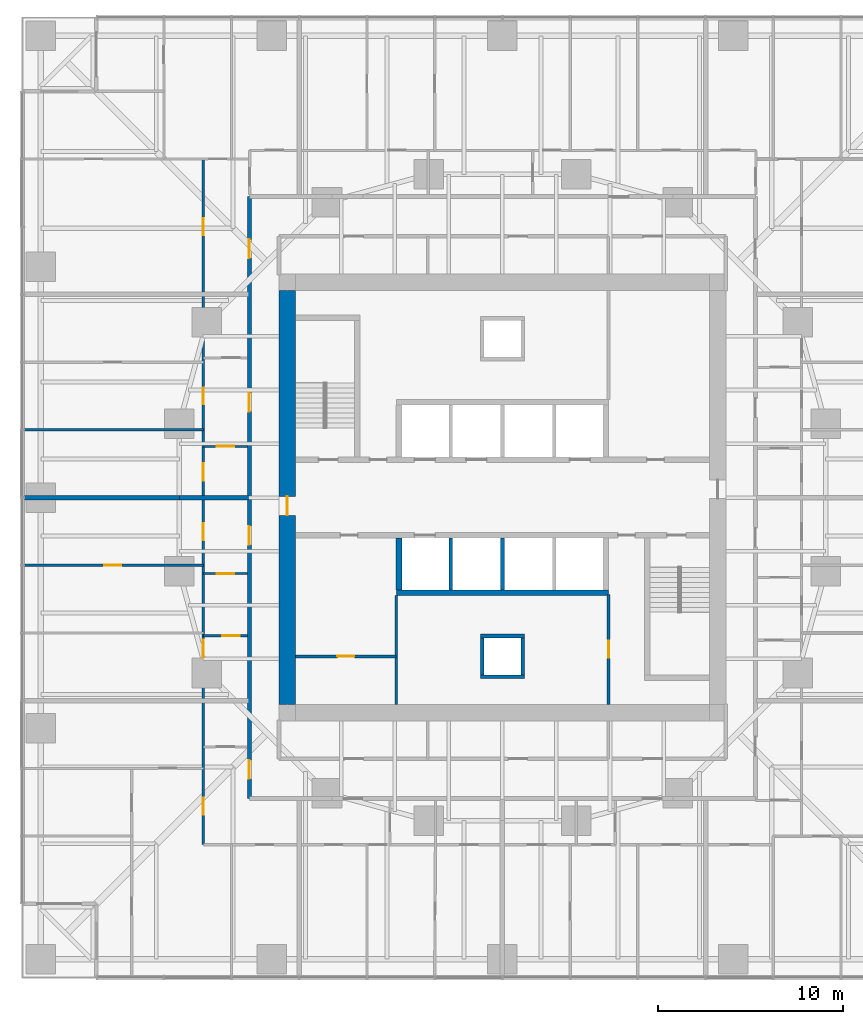
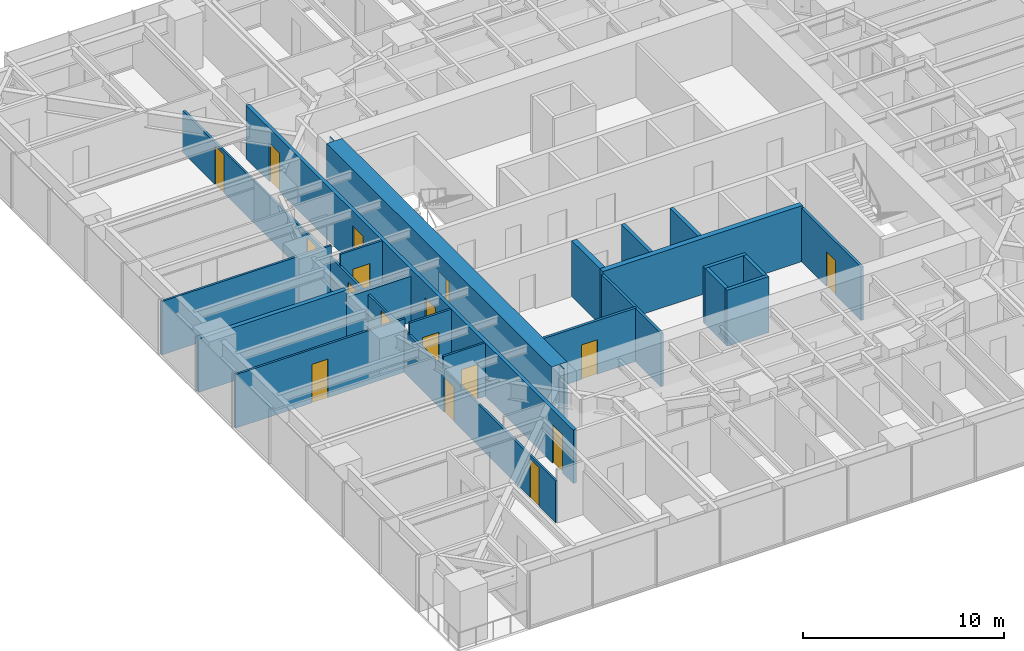
# One storey, part 9 of 14: 21 walls, 17 doors, 17 openings.
"""IFC4 building model written with IfcOpenShell, lengths in metres."""

from ifc_helpers import new_model, si_unit, direction, frame, frame_2d, origin, place, context, subcontext, project, spatial, polyline, rectangle, outline, extrude, material, layer, layer_set, type_object, element, fill, save


model = new_model("IFC4")

# Units and contexts
model_context = context("Model", 3, precision=1e-05, world=origin(), true_north=direction((0.0, 1.0)))
body_context = subcontext(model_context, "Body", "Model", "MODEL_VIEW")
ifc_project = project(units=[si_unit("LENGTHUNIT", "METRE"), si_unit("AREAUNIT", "SQUARE_METRE"), si_unit("VOLUMEUNIT", "CUBIC_METRE"), si_unit("PLANEANGLEUNIT", "RADIAN"), si_unit("MASSUNIT", "GRAM", prefix="KILO")], contexts=[model_context])

# Site, building, storey
site_placement = place(None, origin())
site = spatial("IfcSite", under=ifc_project, at=site_placement, CompositionType="ELEMENT")
building_placement = place(site_placement, origin())
building = spatial("IfcBuilding", under=site, at=building_placement, Name="Torsade Residences", CompositionType="ELEMENT")
storey_placement = place(building_placement, frame((0.0, 0.0, 32.0)))
storey = spatial("IfcBuildingStorey", under=building, at=storey_placement, Name="L08", CompositionType="ELEMENT", Elevation=32.0)

# Walls
ifc_material_1 = material(Name="Concrete 80 MPa", Category="concrete")
ifc_layer_1 = layer(ifc_material_1, 0.300048828125)
ifc_layer_set_1 = layer_set([ifc_layer_1], Name="Concrete 80 MPa")
wall_type_1 = type_object("IfcWallType", Name="CORE INTERNAL WALL 300", PredefinedType="SHEAR", material=ifc_layer_set_1)
wall_1_placement = place(storey_placement, frame((45.75, 24.85009765625, 0.0), z_axis=(0.0, 0.0, 1.0), x_axis=(-1.0, 0.0, 0.0)))
element("IfcWall", 1, at=wall_1_placement, inside=storey, type_object=wall_type_1, Name="Core wall BS L08", PredefinedType="SHEAR", context=body_context, shape_type="SweptSolid", body=[
    extrude(rectangle(XDim=11.5, YDim=0.300048828125, at=frame_2d((5.75, 0.0))), origin(), (0.0, 0.0, 1.0), 3.39990234375),
])
wall_2_placement = place(storey_placement, frame((34.39990234375, 27.800048828125, 0.0), z_axis=(0.0, 0.0, 1.0), x_axis=(0.0, -1.0, 0.0)))
element("IfcWall", 2, at=wall_2_placement, inside=storey, type_object=wall_type_1, Name="Core wall DS4 L08", PredefinedType="SHEAR", context=body_context, shape_type="SweptSolid", body=[
    extrude(rectangle(XDim=2.800048828125, YDim=0.300048828125, at=frame_2d((1.39990234375, 0.0))), origin(), (0.0, 0.0, 1.0), 3.39990234375),
])

# Wall, opening, door
ifc_material_2 = material(Name="Concrete 80 MPa", Category="concrete")
ifc_layer_2 = layer(ifc_material_2, 0.89990234375)
ifc_layer_set_2 = layer_set([ifc_layer_2], Name="Concrete 80 MPa")
wall_type_2 = type_object("IfcWallType", Name="CORE WALL 900", PredefinedType="SHEAR", material=ifc_layer_set_2)
wall_3_placement = place(storey_placement, frame((28.35009765625, 41.199951171875, 0.0), z_axis=(0.0, 0.0, 1.0), x_axis=(0.0, -1.0, 0.0)))
wall_3 = element("IfcWall", 3, at=wall_3_placement, inside=storey, type_object=wall_type_2, Name="Core wall W L08", PredefinedType="SHEAR", context=body_context, shape_type="SweptSolid", body=[
    extrude(outline(polyline([(0.0, -0.449951171875), (22.39990234375, -0.449951171875), (22.39990234375, -0.02490234375), (22.849853515625, -0.02490234375), (22.849853515625, 0.02490234375), (22.39990234375, 0.02490234375), (22.39990234375, 0.449951171875), (0.0, 0.449951171875), (0.0, 0.02490234375), (-0.449951171875, 0.02490234375), (-0.449951171875, -0.02490234375), (0.0, -0.02490234375), (0.0, -0.449951171875)])), origin(), (0.0, 0.0, 1.0), 3.39990234375),
])
opening_1_placement = place(wall_3_placement, frame((11.139892578125, 0.0, 0.0)))
opening_1 = element("IfcOpeningElement", 4, at=opening_1_placement, cuts=wall_3, Name="Opening D04", PredefinedType="OPENING", context=body_context, shape_type="SweptSolid", body=[
    extrude(rectangle(XDim=1.02001953125, YDim=2.39990234375, at=frame_2d((0.510009765625, 1.199951171875))), frame((0.0, 0.4599609375, 0.0), z_axis=(0.0, -1.0, 0.0), x_axis=(1.0, 0.0, 0.0)), (0.0, 0.0, 1.0), 0.919921875),
])
ifc_material_3 = material(Name="Steel-framed fire door", Category="steel")
door_type_1 = type_object("IfcDoorType", Name="LOBBY SMOKE DOOR 1020x2400", OperationType="NOTDEFINED", PredefinedType="DOOR", material=ifc_material_3)
door_1_placement = place(opening_1_placement, origin())
door_1 = element("IfcDoor", 5, at=door_1_placement, inside=storey, type_object=door_type_1, Name="Lift lobby door W L08", OperationType="SINGLE_SWING_RIGHT", OverallHeight=2.39990234375, OverallWidth=1.02001953125, PredefinedType="DOOR", context=body_context, shape_type="SweptSolid", body=[
    extrude(rectangle(XDim=1.02001953125, YDim=2.39990234375, at=frame_2d((0.510009765625, 1.199951171875))), frame((0.0, 0.02490234375, 0.0), z_axis=(0.0, -1.0, 0.0), x_axis=(1.0, 0.0, 0.0)), (0.0, 0.0, 1.0), 0.050048828125),
])
fill(opening_1, door_1)

# Wall, openings, doors
ifc_material_4 = material(Name="Plasterboard on steel stud", Category="steel")
ifc_layer_3 = layer(ifc_material_4, 0.199951171875)
ifc_layer_set_3 = layer_set([ifc_layer_3], Name="Plasterboard on steel stud")
wall_type_3 = type_object("IfcWallType", Name="CORRIDOR WALL 200", PredefinedType="PARTITIONING", material=ifc_layer_set_3)
wall_4_placement = place(storey_placement, frame((26.300048828125, 46.300048828125, 0.0), z_axis=(0.0, 0.0, 1.0), x_axis=(0.0, -1.0, 0.0)))
wall_4 = element("IfcWall", 6, at=wall_4_placement, inside=storey, type_object=wall_type_3, Name="Corridor wall L08", PredefinedType="PARTITIONING", context=body_context, shape_type="SweptSolid", body=[
    extrude(rectangle(XDim=32.60009765625, YDim=0.199951171875, at=frame_2d((16.300048828125, 0.0))), origin(), (0.0, 0.0, 1.0), 3.25),
])
opening_2_placement = place(wall_4_placement, frame((2.31494140625, 0.0, 0.0)))
opening_2 = element("IfcOpeningElement", 7, at=opening_2_placement, cuts=wall_4, Name="Opening D01", PredefinedType="OPENING", context=body_context, shape_type="SweptSolid", body=[
    extrude(rectangle(XDim=1.02001953125, YDim=2.340087890625, at=frame_2d((0.510009765625, 1.169921875))), frame((0.0, 0.10986328125, 0.0), z_axis=(0.0, -1.0, 0.0), x_axis=(1.0, 0.0, 0.0)), (0.0, 0.0, 1.0), 0.219970703125),
])
opening_3_placement = place(wall_4_placement, frame((10.623779296875, 0.0, 0.0)))
opening_3 = element("IfcOpeningElement", 8, at=opening_3_placement, cuts=wall_4, Name="Opening D01", PredefinedType="OPENING", context=body_context, shape_type="SweptSolid", body=[
    extrude(rectangle(XDim=1.02001953125, YDim=2.340087890625, at=frame_2d((0.510009765625, 1.169921875))), frame((0.0, 0.10986328125, 0.0), z_axis=(0.0, -1.0, 0.0), x_axis=(1.0, 0.0, 0.0)), (0.0, 0.0, 1.0), 0.219970703125),
])
opening_4_placement = place(wall_4_placement, frame((17.84814453125, 0.0, 0.0)))
opening_4 = element("IfcOpeningElement", 9, at=opening_4_placement, cuts=wall_4, Name="Opening D01", PredefinedType="OPENING", context=body_context, shape_type="SweptSolid", body=[
    extrude(rectangle(XDim=1.02001953125, YDim=2.340087890625, at=frame_2d((0.510009765625, 1.169921875))), frame((0.0, 0.10986328125, 0.0), z_axis=(0.0, -1.0, 0.0), x_axis=(1.0, 0.0, 0.0)), (0.0, 0.0, 1.0), 0.219970703125),
])
opening_5_placement = place(wall_4_placement, frame((30.515625, 0.0, 0.0)))
opening_5 = element("IfcOpeningElement", 10, at=opening_5_placement, cuts=wall_4, Name="Opening D01", PredefinedType="OPENING", context=body_context, shape_type="SweptSolid", body=[
    extrude(rectangle(XDim=1.02001953125, YDim=2.340087890625, at=frame_2d((0.510009765625, 1.169921875))), frame((0.0, 0.10986328125, 0.0), z_axis=(0.0, -1.0, 0.0), x_axis=(1.0, 0.0, 0.0)), (0.0, 0.0, 1.0), 0.219970703125),
])
ifc_material_5 = material(Name="Solid-core timber fire door", Category="wood")
door_type_2 = type_object("IfcDoorType", Name="APARTMENT ENTRY DOOR 1020x2340", OperationType="NOTDEFINED", PredefinedType="DOOR", material=ifc_material_5)
door_2_placement = place(opening_2_placement, origin())
door_2 = element("IfcDoor", 11, at=door_2_placement, inside=storey, type_object=door_type_2, Name="Door Residential corridor to Kitchen and dining", OperationType="SINGLE_SWING_LEFT", OverallHeight=2.340087890625, OverallWidth=1.02001953125, PredefinedType="DOOR", context=body_context, shape_type="SweptSolid", body=[
    extrude(rectangle(XDim=1.02001953125, YDim=2.340087890625, at=frame_2d((0.510009765625, 1.169921875))), frame((0.0, 0.02490234375, 0.0), z_axis=(0.0, -1.0, 0.0), x_axis=(1.0, 0.0, 0.0)), (0.0, 0.0, 1.0), 0.050048828125),
])
fill(opening_2, door_2)
door_3_placement = place(opening_3_placement, origin())
door_3 = element("IfcDoor", 12, at=door_3_placement, inside=storey, type_object=door_type_2, Name="Door Residential corridor to Kitchen and dining", OperationType="SINGLE_SWING_LEFT", OverallHeight=2.340087890625, OverallWidth=1.02001953125, PredefinedType="DOOR", context=body_context, shape_type="SweptSolid", body=[
    extrude(rectangle(XDim=1.02001953125, YDim=2.340087890625, at=frame_2d((0.510009765625, 1.169921875))), frame((0.0, 0.02490234375, 0.0), z_axis=(0.0, -1.0, 0.0), x_axis=(1.0, 0.0, 0.0)), (0.0, 0.0, 1.0), 0.050048828125),
])
fill(opening_3, door_3)
door_4_placement = place(opening_4_placement, origin())
door_4 = element("IfcDoor", 13, at=door_4_placement, inside=storey, type_object=door_type_2, Name="Door Residential corridor to Kitchen and dining", OperationType="SINGLE_SWING_RIGHT", OverallHeight=2.340087890625, OverallWidth=1.02001953125, PredefinedType="DOOR", context=body_context, shape_type="SweptSolid", body=[
    extrude(rectangle(XDim=1.02001953125, YDim=2.340087890625, at=frame_2d((0.510009765625, 1.169921875))), frame((0.0, 0.02490234375, 0.0), z_axis=(0.0, -1.0, 0.0), x_axis=(1.0, 0.0, 0.0)), (0.0, 0.0, 1.0), 0.050048828125),
])
fill(opening_4, door_4)
door_5_placement = place(opening_5_placement, origin())
door_5 = element("IfcDoor", 14, at=door_5_placement, inside=storey, type_object=door_type_2, Name="Door Residential corridor to Kitchen and dining", OperationType="SINGLE_SWING_RIGHT", OverallHeight=2.340087890625, OverallWidth=1.02001953125, PredefinedType="DOOR", context=body_context, shape_type="SweptSolid", body=[
    extrude(rectangle(XDim=1.02001953125, YDim=2.340087890625, at=frame_2d((0.510009765625, 1.169921875))), frame((0.0, 0.02490234375, 0.0), z_axis=(0.0, -1.0, 0.0), x_axis=(1.0, 0.0, 0.0)), (0.0, 0.0, 1.0), 0.050048828125),
])
fill(opening_5, door_5)

# Walls
ifc_material_6 = material(Name="Reinforced blockwork", Category="masonry")
ifc_layer_4 = layer(ifc_material_6, 0.199951171875)
ifc_layer_set_4 = layer_set([ifc_layer_4], Name="Reinforced blockwork")
wall_type_4 = type_object("IfcWallType", Name="LIFT SHAFT DIVIDING WALL 200", PredefinedType="SOLIDWALL", material=ifc_layer_set_4)
for number, where, z_axis, x_axis, name in (
    (15, (40.0, 27.800048828125, 0.0), (0.0, 0.0, 1.0), (0.0, -1.0, 0.0), "Core wall DS2 L08"),
    (16, (37.199951171875, 27.800048828125, 0.0), (0.0, 0.0, 1.0), (0.0, -1.0, 0.0), "Core wall DS3 L08"),
):
    element("IfcWall", number, at=place(storey_placement, frame(where, z_axis=z_axis, x_axis=x_axis)), inside=storey, type_object=wall_type_4, Name=name, PredefinedType="SOLIDWALL", context=body_context, shape_type="SweptSolid", body=[
        extrude(rectangle(XDim=2.800048828125, YDim=0.199951171875, at=frame_2d((1.39990234375, 0.0))), origin(), (0.0, 0.0, 1.0), 3.39990234375),
    ])

# Wall, opening, door
ifc_material_7 = material(Name="Plasterboard on steel stud", Category="steel")
ifc_layer_5 = layer(ifc_material_7, 0.1201171875)
ifc_layer_set_5 = layer_set([ifc_layer_5], Name="Plasterboard on steel stud")
wall_type_5 = type_object("IfcWallType", Name="PARTITION 120", PredefinedType="PARTITIONING", material=ifc_layer_set_5)
wall_5_placement = place(storey_placement, frame((26.199951171875, 25.883544921875, 0.0), z_axis=(0.0, 0.0, 1.0), x_axis=(-1.0, 0.0, 0.0)))
wall_5 = element("IfcWall", 17, at=wall_5_placement, inside=storey, type_object=wall_type_5, Name="Partition L08", PredefinedType="PARTITIONING", context=body_context, shape_type="SweptSolid", body=[
    extrude(rectangle(XDim=2.39990234375, YDim=0.1201171875, at=frame_2d((1.199951171875, 0.0))), origin(), (0.0, 0.0, 1.0), 3.25),
])
opening_6_placement = place(wall_5_placement, frame((0.719970703125, 0.0, 0.0)))
opening_6 = element("IfcOpeningElement", 18, at=opening_6_placement, cuts=wall_5, Name="Opening D05", PredefinedType="OPENING", context=body_context, shape_type="SweptSolid", body=[
    extrude(rectangle(XDim=0.9599609375, YDim=2.10009765625, at=frame_2d((0.47998046875, 1.050048828125))), frame((0.0, 0.070068359375, 0.0), z_axis=(0.0, -1.0, 0.0), x_axis=(1.0, 0.0, 0.0)), (0.0, 0.0, 1.0), 0.14013671875),
])
ifc_material_8 = material(Name="Hollow-core timber door in a steel cavity frame", Category="steel")
door_type_3 = type_object("IfcDoorType", Name="BATHROOM CAVITY SLIDING DOOR 960", OperationType="SLIDING_TO_LEFT", PredefinedType="DOOR", material=ifc_material_8)
door_6_placement = place(opening_6_placement, origin())
door_6 = element("IfcDoor", 19, at=door_6_placement, inside=storey, type_object=door_type_3, Name="Door Kitchen and dining to Ensuite", OperationType="SLIDING_TO_LEFT", OverallHeight=2.10009765625, OverallWidth=0.9599609375, PredefinedType="DOOR", context=body_context, shape_type="SweptSolid", body=[
    extrude(rectangle(XDim=0.9599609375, YDim=2.10009765625, at=frame_2d((0.47998046875, 1.050048828125))), frame((0.0, 0.02490234375, 0.0), z_axis=(0.0, -1.0, 0.0), x_axis=(1.0, 0.0, 0.0)), (0.0, 0.0, 1.0), 0.050048828125),
])
fill(opening_6, door_6)

# Wall, openings, doors
wall_6_placement = place(storey_placement, frame((23.800048828125, 11.199951171875, 0.0), z_axis=(0.0, 0.0, 1.0), x_axis=(0.0, 1.0, 0.0)))
wall_6 = element("IfcWall", 20, at=wall_6_placement, inside=storey, type_object=wall_type_5, Name="Partition L08", PredefinedType="PARTITIONING", context=body_context, shape_type="SweptSolid", body=[
    extrude(rectangle(XDim=37.13330078125, YDim=0.1201171875, at=frame_2d((18.566650390625, 0.0))), origin(), (0.0, 0.0, 1.0), 2.550048828125),
])
opening_7_placement = place(wall_6_placement, frame((33.006591796875, 0.0, 0.0)))
opening_7 = element("IfcOpeningElement", 21, at=opening_7_placement, cuts=wall_6, Name="Opening D02", PredefinedType="OPENING", context=body_context, shape_type="SweptSolid", body=[
    extrude(rectangle(XDim=0.919921875, YDim=2.340087890625, at=frame_2d((0.4599609375, 1.169921875))), frame((0.0, 0.070068359375, 0.0), z_axis=(0.0, -1.0, 0.0), x_axis=(1.0, 0.0, 0.0)), (0.0, 0.0, 1.0), 0.14013671875),
])
opening_8_placement = place(wall_6_placement, frame((23.840087890625, 0.0, 0.0)))
opening_8 = element("IfcOpeningElement", 22, at=opening_8_placement, cuts=wall_6, Name="Opening D02", PredefinedType="OPENING", context=body_context, shape_type="SweptSolid", body=[
    extrude(rectangle(XDim=0.919921875, YDim=2.340087890625, at=frame_2d((0.4599609375, 1.169921875))), frame((0.0, 0.070068359375, 0.0), z_axis=(0.0, -1.0, 0.0), x_axis=(1.0, 0.0, 0.0)), (0.0, 0.0, 1.0), 0.14013671875),
])
opening_9_placement = place(wall_6_placement, frame((16.481689453125, 0.0, 0.0)))
opening_9 = element("IfcOpeningElement", 23, at=opening_9_placement, cuts=wall_6, Name="Opening D02", PredefinedType="OPENING", context=body_context, shape_type="SweptSolid", body=[
    extrude(rectangle(XDim=0.919921875, YDim=2.340087890625, at=frame_2d((0.4599609375, 1.169921875))), frame((0.0, 0.070068359375, 0.0), z_axis=(0.0, -1.0, 0.0), x_axis=(1.0, 0.0, 0.0)), (0.0, 0.0, 1.0), 0.14013671875),
])
opening_10_placement = place(wall_6_placement, frame((1.631591796875, 0.0, 0.0)))
opening_10 = element("IfcOpeningElement", 24, at=opening_10_placement, cuts=wall_6, Name="Opening D02", PredefinedType="OPENING", context=body_context, shape_type="SweptSolid", body=[
    extrude(rectangle(XDim=0.919921875, YDim=2.340087890625, at=frame_2d((0.4599609375, 1.169921875))), frame((0.0, 0.070068359375, 0.0), z_axis=(0.0, -1.0, 0.0), x_axis=(1.0, 0.0, 0.0)), (0.0, 0.0, 1.0), 0.14013671875),
])
opening_11_placement = place(wall_6_placement, frame((19.703857421875, 0.0, 0.0)))
opening_11 = element("IfcOpeningElement", 25, at=opening_11_placement, cuts=wall_6, Name="Opening D05", PredefinedType="OPENING", context=body_context, shape_type="SweptSolid", body=[
    extrude(rectangle(XDim=0.9599609375, YDim=2.10009765625, at=frame_2d((0.47998046875, 1.050048828125))), frame((0.0, 0.070068359375, 0.0), z_axis=(0.0, -1.0, 0.0), x_axis=(1.0, 0.0, 0.0)), (0.0, 0.0, 1.0), 0.14013671875),
])
opening_12_placement = place(wall_6_placement, frame((10.127685546875, 0.0, 0.0)))
opening_12 = element("IfcOpeningElement", 26, at=opening_12_placement, cuts=wall_6, Name="Opening D05", PredefinedType="OPENING", context=body_context, shape_type="SweptSolid", body=[
    extrude(rectangle(XDim=0.9599609375, YDim=2.10009765625, at=frame_2d((0.47998046875, 1.050048828125))), frame((0.0, 0.070068359375, 0.0), z_axis=(0.0, -1.0, 0.0), x_axis=(1.0, 0.0, 0.0)), (0.0, 0.0, 1.0), 0.14013671875),
])
door_7_placement = place(opening_11_placement, origin())
door_7 = element("IfcDoor", 27, at=door_7_placement, inside=storey, type_object=door_type_3, Name="Door Ensuite to Bedroom 1", OperationType="SLIDING_TO_LEFT", OverallHeight=2.10009765625, OverallWidth=0.9599609375, PredefinedType="DOOR", context=body_context, shape_type="SweptSolid", body=[
    extrude(rectangle(XDim=0.9599609375, YDim=2.10009765625, at=frame_2d((0.47998046875, 1.050048828125))), frame((0.0, 0.02490234375, 0.0), z_axis=(0.0, -1.0, 0.0), x_axis=(1.0, 0.0, 0.0)), (0.0, 0.0, 1.0), 0.050048828125),
])
fill(opening_11, door_7)
door_8_placement = place(opening_12_placement, origin())
door_8 = element("IfcDoor", 28, at=door_8_placement, inside=storey, type_object=door_type_3, Name="Door Bathroom to Bedroom 1", OperationType="SLIDING_TO_LEFT", OverallHeight=2.10009765625, OverallWidth=0.9599609375, PredefinedType="DOOR", context=body_context, shape_type="SweptSolid", body=[
    extrude(rectangle(XDim=0.9599609375, YDim=2.10009765625, at=frame_2d((0.47998046875, 1.050048828125))), frame((0.0, 0.02490234375, 0.0), z_axis=(0.0, -1.0, 0.0), x_axis=(1.0, 0.0, 0.0)), (0.0, 0.0, 1.0), 0.050048828125),
])
fill(opening_12, door_8)
ifc_material_9 = material(Name="Hollow-core timber door", Category="wood")
door_type_4 = type_object("IfcDoorType", Name="INTERNAL DOOR 920x2340", OperationType="NOTDEFINED", PredefinedType="DOOR", material=ifc_material_9)
door_9_placement = place(opening_7_placement, origin())
door_9 = element("IfcDoor", 29, at=door_9_placement, inside=storey, type_object=door_type_4, Name="Door Kitchen and dining to Living room", OperationType="SINGLE_SWING_LEFT", OverallHeight=2.340087890625, OverallWidth=0.919921875, PredefinedType="DOOR", context=body_context, shape_type="SweptSolid", body=[
    extrude(rectangle(XDim=0.919921875, YDim=2.340087890625, at=frame_2d((0.4599609375, 1.169921875))), frame((0.0, 0.02490234375, 0.0), z_axis=(0.0, -1.0, 0.0), x_axis=(1.0, 0.0, 0.0)), (0.0, 0.0, 1.0), 0.050048828125),
])
fill(opening_7, door_9)
door_10_placement = place(opening_8_placement, origin())
door_10 = element("IfcDoor", 30, at=door_10_placement, inside=storey, type_object=door_type_4, Name="Door Kitchen and dining to Bedroom 2", OperationType="SINGLE_SWING_LEFT", OverallHeight=2.340087890625, OverallWidth=0.919921875, PredefinedType="DOOR", context=body_context, shape_type="SweptSolid", body=[
    extrude(rectangle(XDim=0.919921875, YDim=2.340087890625, at=frame_2d((0.4599609375, 1.169921875))), frame((0.0, 0.02490234375, 0.0), z_axis=(0.0, -1.0, 0.0), x_axis=(1.0, 0.0, 0.0)), (0.0, 0.0, 1.0), 0.050048828125),
])
fill(opening_8, door_10)
door_11_placement = place(opening_9_placement, origin())
door_11 = element("IfcDoor", 31, at=door_11_placement, inside=storey, type_object=door_type_4, Name="Door Kitchen and dining to Living room", OperationType="SINGLE_SWING_LEFT", OverallHeight=2.340087890625, OverallWidth=0.919921875, PredefinedType="DOOR", context=body_context, shape_type="SweptSolid", body=[
    extrude(rectangle(XDim=0.919921875, YDim=2.340087890625, at=frame_2d((0.4599609375, 1.169921875))), frame((0.0, 0.02490234375, 0.0), z_axis=(0.0, -1.0, 0.0), x_axis=(1.0, 0.0, 0.0)), (0.0, 0.0, 1.0), 0.050048828125),
])
fill(opening_9, door_11)
door_12_placement = place(opening_10_placement, origin())
door_12 = element("IfcDoor", 32, at=door_12_placement, inside=storey, type_object=door_type_4, Name="Door Kitchen and dining to Living room", OperationType="SINGLE_SWING_RIGHT", OverallHeight=2.340087890625, OverallWidth=0.919921875, PredefinedType="DOOR", context=body_context, shape_type="SweptSolid", body=[
    extrude(rectangle(XDim=0.919921875, YDim=2.340087890625, at=frame_2d((0.4599609375, 1.169921875))), frame((0.0, 0.02490234375, 0.0), z_axis=(0.0, -1.0, 0.0), x_axis=(1.0, 0.0, 0.0)), (0.0, 0.0, 1.0), 0.050048828125),
])
fill(opening_10, door_12)

# Wall, opening, door
wall_7_placement = place(storey_placement, frame((23.800048828125, 22.515380859375, 0.0), z_axis=(0.0, 0.0, 1.0), x_axis=(1.0, 0.0, 0.0)))
wall_7 = element("IfcWall", 33, at=wall_7_placement, inside=storey, type_object=wall_type_5, Name="Partition L08", PredefinedType="PARTITIONING", context=body_context, shape_type="SweptSolid", body=[
    extrude(rectangle(XDim=2.39990234375, YDim=0.1201171875, at=frame_2d((1.199951171875, 0.0))), origin(), (0.0, 0.0, 1.0), 3.25),
])
opening_13_placement = place(wall_7_placement, frame((1.02001953125, 0.0, 0.0)))
opening_13 = element("IfcOpeningElement", 34, at=opening_13_placement, cuts=wall_7, Name="Opening D05", PredefinedType="OPENING", context=body_context, shape_type="SweptSolid", body=[
    extrude(rectangle(XDim=0.9599609375, YDim=2.10009765625, at=frame_2d((0.47998046875, 1.050048828125))), frame((0.0, 0.070068359375, 0.0), z_axis=(0.0, -1.0, 0.0), x_axis=(1.0, 0.0, 0.0)), (0.0, 0.0, 1.0), 0.14013671875),
])
door_13_placement = place(opening_13_placement, origin())
door_13 = element("IfcDoor", 35, at=door_13_placement, inside=storey, type_object=door_type_3, Name="Door Ensuite to Bathroom", OperationType="SLIDING_TO_LEFT", OverallHeight=2.10009765625, OverallWidth=0.9599609375, PredefinedType="DOOR", context=body_context, shape_type="SweptSolid", body=[
    extrude(rectangle(XDim=0.9599609375, YDim=2.10009765625, at=frame_2d((0.47998046875, 1.050048828125))), frame((0.0, 0.02490234375, 0.0), z_axis=(0.0, -1.0, 0.0), x_axis=(1.0, 0.0, 0.0)), (0.0, 0.0, 1.0), 0.050048828125),
])
fill(opening_13, door_13)

wall_8_placement = place(storey_placement, frame((23.800048828125, 26.333251953125, 0.0), z_axis=(0.0, 0.0, 1.0), x_axis=(-1.0, 0.0, 0.0)))
wall_8 = element("IfcWall", 36, at=wall_8_placement, inside=storey, type_object=wall_type_5, Name="Partition L08", PredefinedType="PARTITIONING", context=body_context, shape_type="SweptSolid", body=[
    extrude(rectangle(XDim=9.760009765625, YDim=0.1201171875, at=frame_2d((4.8798828125, 0.0))), origin(), (0.0, 0.0, 1.0), 3.25),
])
opening_14_placement = place(wall_8_placement, frame((4.43994140625, 0.0, 0.0)))
opening_14 = element("IfcOpeningElement", 37, at=opening_14_placement, cuts=wall_8, Name="Opening D02", PredefinedType="OPENING", context=body_context, shape_type="SweptSolid", body=[
    extrude(rectangle(XDim=0.919921875, YDim=2.340087890625, at=frame_2d((0.4599609375, 1.169921875))), frame((0.0, 0.070068359375, 0.0), z_axis=(0.0, -1.0, 0.0), x_axis=(1.0, 0.0, 0.0)), (0.0, 0.0, 1.0), 0.14013671875),
])
door_14_placement = place(opening_14_placement, origin())
door_14 = element("IfcDoor", 38, at=door_14_placement, inside=storey, type_object=door_type_4, Name="Door Living room to Bedroom 2", OperationType="SINGLE_SWING_LEFT", OverallHeight=2.340087890625, OverallWidth=0.919921875, PredefinedType="DOOR", context=body_context, shape_type="SweptSolid", body=[
    extrude(rectangle(XDim=0.919921875, YDim=2.340087890625, at=frame_2d((0.4599609375, 1.169921875))), frame((0.0, 0.02490234375, 0.0), z_axis=(0.0, -1.0, 0.0), x_axis=(1.0, 0.0, 0.0)), (0.0, 0.0, 1.0), 0.050048828125),
])
fill(opening_14, door_14)

wall_9_placement = place(storey_placement, frame((26.199951171875, 32.767578125, 0.0), z_axis=(0.0, 0.0, 1.0), x_axis=(-1.0, 0.0, 0.0)))
wall_9 = element("IfcWall", 39, at=wall_9_placement, inside=storey, type_object=wall_type_5, Name="Partition L08", PredefinedType="PARTITIONING", context=body_context, shape_type="SweptSolid", body=[
    extrude(rectangle(XDim=2.39990234375, YDim=0.1201171875, at=frame_2d((1.199951171875, 0.0))), origin(), (0.0, 0.0, 1.0), 3.25),
])
opening_15_placement = place(wall_9_placement, frame((0.719970703125, 0.0, 0.0)))
opening_15 = element("IfcOpeningElement", 40, at=opening_15_placement, cuts=wall_9, Name="Opening D05", PredefinedType="OPENING", context=body_context, shape_type="SweptSolid", body=[
    extrude(rectangle(XDim=0.9599609375, YDim=2.10009765625, at=frame_2d((0.47998046875, 1.050048828125))), frame((0.0, 0.070068359375, 0.0), z_axis=(0.0, -1.0, 0.0), x_axis=(1.0, 0.0, 0.0)), (0.0, 0.0, 1.0), 0.14013671875),
])
door_15_placement = place(opening_15_placement, origin())
door_15 = element("IfcDoor", 41, at=door_15_placement, inside=storey, type_object=door_type_3, Name="Door Kitchen and dining to Ensuite", OperationType="SLIDING_TO_LEFT", OverallHeight=2.10009765625, OverallWidth=0.9599609375, PredefinedType="DOOR", context=body_context, shape_type="SweptSolid", body=[
    extrude(rectangle(XDim=0.9599609375, YDim=2.10009765625, at=frame_2d((0.47998046875, 1.050048828125))), frame((0.0, 0.02490234375, 0.0), z_axis=(0.0, -1.0, 0.0), x_axis=(1.0, 0.0, 0.0)), (0.0, 0.0, 1.0), 0.050048828125),
])
fill(opening_15, door_15)

# Walls
wall_10_placement = place(storey_placement, frame((14.0400390625, 33.666748046875, 0.0), z_axis=(0.0, 0.0, 1.0), x_axis=(1.0, 0.0, 0.0)))
element("IfcWall", 42, at=wall_10_placement, inside=storey, type_object=wall_type_5, Name="Partition L08", PredefinedType="PARTITIONING", context=body_context, shape_type="SweptSolid", body=[
    extrude(rectangle(XDim=9.760009765625, YDim=0.1201171875, at=frame_2d((4.8798828125, 0.0))), origin(), (0.0, 0.0, 1.0), 3.25),
])
ifc_material_10 = material(Name="Masonry-lined stud party wall", Category="masonry")
ifc_layer_6 = layer(ifc_material_10, 0.25)
ifc_layer_set_6 = layer_set([ifc_layer_6], Name="Masonry-lined stud party wall")
wall_type_6 = type_object("IfcWallType", Name="PARTY WALL 250", PredefinedType="PARTITIONING", material=ifc_layer_set_6)
wall_11_placement = place(storey_placement, frame((14.0, 30.0, 0.0), z_axis=(0.0, 0.0, 1.0), x_axis=(1.0, 0.0, 0.0)))
element("IfcWall", 43, at=wall_11_placement, inside=storey, type_object=wall_type_6, Name="Party wall L08", PredefinedType="PARTITIONING", context=body_context, shape_type="SweptSolid", body=[
    extrude(rectangle(XDim=8.5, YDim=0.25, at=frame_2d((4.25, 0.0))), origin(), (0.0, 0.0, 1.0), 3.25),
])
wall_12_placement = place(storey_placement, frame((22.5, 30.0, 0.0), z_axis=(0.0, 0.0, 1.0), x_axis=(1.0, 0.0, 0.0)))
element("IfcWall", 44, at=wall_12_placement, inside=storey, type_object=wall_type_6, Name="Party wall L08", PredefinedType="PARTITIONING", context=body_context, shape_type="SweptSolid", body=[
    extrude(rectangle(XDim=3.739990234375, YDim=0.25, at=frame_2d((1.8701171875, 0.0))), origin(), (0.0, 0.0, 1.0), 2.7958984375),
])
ifc_material_11 = material(Name="Reinforced blockwork", Category="masonry")
ifc_layer_7 = layer(ifc_material_11, 0.199951171875)
ifc_layer_set_7 = layer_set([ifc_layer_7], Name="Reinforced blockwork")
wall_type_7 = type_object("IfcWallType", Name="RISER SHAFT WALL 200", PredefinedType="SOLIDWALL", material=ifc_layer_set_7)
for number, where, z_axis, x_axis, name in (
    (45, (38.89990234375, 22.39990234375, 0.0), (0.0, 0.0, 1.0), (0.0, -1.0, 0.0), "Core wall RS2a L08"),
    (46, (41.10009765625, 22.39990234375, 0.0), (0.0, 0.0, 1.0), (0.0, -1.0, 0.0), "Core wall RS2b L08"),
):
    element("IfcWall", number, at=place(storey_placement, frame(where, z_axis=z_axis, x_axis=x_axis)), inside=storey, type_object=wall_type_7, Name=name, PredefinedType="SOLIDWALL", context=body_context, shape_type="SweptSolid", body=[
        extrude(rectangle(XDim=2.0, YDim=0.199951171875, at=frame_2d((1.0, 0.0))), origin(), (0.0, 0.0, 1.0), 3.39990234375),
    ])
for number, where, z_axis, x_axis, name in (
    (47, (38.800048828125, 22.5, 0.0), (0.0, 0.0, 1.0), (1.0, 0.0, 0.0), "Core wall RS2c L08"),
    (48, (38.800048828125, 20.300048828125, 0.0), (0.0, 0.0, 1.0), (1.0, 0.0, 0.0), "Core wall RS2d L08"),
):
    element("IfcWall", number, at=place(storey_placement, frame(where, z_axis=z_axis, x_axis=x_axis)), inside=storey, type_object=wall_type_7, Name=name, PredefinedType="SOLIDWALL", context=body_context, shape_type="SweptSolid", body=[
        extrude(rectangle(XDim=2.39990234375, YDim=0.199951171875, at=frame_2d((1.199951171875, 0.0))), origin(), (0.0, 0.0, 1.0), 3.39990234375),
    ])

# Wall, opening, door
ifc_material_12 = material(Name="Reinforced blockwork", Category="masonry")
ifc_layer_8 = layer(ifc_material_12, 0.14990234375)
ifc_layer_set_8 = layer_set([ifc_layer_8], Name="Reinforced blockwork")
wall_type_8 = type_object("IfcWallType", Name="SERVICE ROOM WALL 150", PredefinedType="SOLIDWALL", material=ifc_layer_set_8)
wall_13_placement = place(storey_placement, frame((45.75, 18.800048828125, 0.0), z_axis=(0.0, 0.0, 1.0), x_axis=(0.0, 1.0, 0.0)))
wall_13 = element("IfcWall", 49, at=wall_13_placement, inside=storey, type_object=wall_type_8, Name="Service room wall L08", PredefinedType="SOLIDWALL", context=body_context, shape_type="SweptSolid", body=[
    extrude(rectangle(XDim=5.949951171875, YDim=0.14990234375, at=frame_2d((2.97509765625, 0.0))), origin(), (0.0, 0.0, 1.0), 3.25),
])
opening_16_placement = place(wall_13_placement, frame((2.514892578125, 0.0, 0.0)))
opening_16 = element("IfcOpeningElement", 50, at=opening_16_placement, cuts=wall_13, Name="Opening D06", PredefinedType="OPENING", context=body_context, shape_type="SweptSolid", body=[
    extrude(rectangle(XDim=0.919921875, YDim=2.10009765625, at=frame_2d((0.4599609375, 1.050048828125))), frame((0.0, 0.0849609375, 0.0), z_axis=(0.0, -1.0, 0.0), x_axis=(1.0, 0.0, 0.0)), (0.0, 0.0, 1.0), 0.169921875),
])
ifc_material_13 = material(Name="Steel-framed fire door", Category="steel")
door_type_5 = type_object("IfcDoorType", Name="FIRE DOOR 920", OperationType="NOTDEFINED", PredefinedType="DOOR", material=ifc_material_13)
door_16_placement = place(opening_16_placement, origin())
door_16 = element("IfcDoor", 51, at=door_16_placement, inside=storey, type_object=door_type_5, Name="Door Communications equipment store to Communications riser room", OperationType="SINGLE_SWING_LEFT", OverallHeight=2.10009765625, OverallWidth=0.919921875, PredefinedType="DOOR", context=body_context, shape_type="SweptSolid", body=[
    extrude(rectangle(XDim=0.919921875, YDim=2.10009765625, at=frame_2d((0.4599609375, 1.050048828125))), frame((0.0, 0.02490234375, 0.0), z_axis=(0.0, -1.0, 0.0), x_axis=(1.0, 0.0, 0.0)), (0.0, 0.0, 1.0), 0.050048828125),
])
fill(opening_16, door_16)

# Wall
wall_14_placement = place(storey_placement, frame((34.25, 18.800048828125, 0.0), z_axis=(0.0, 0.0, 1.0), x_axis=(0.0, 1.0, 0.0)))
element("IfcWall", 52, at=wall_14_placement, inside=storey, type_object=wall_type_8, Name="Service room wall L08", PredefinedType="SOLIDWALL", context=body_context, shape_type="SweptSolid", body=[
    extrude(rectangle(XDim=5.89990234375, YDim=0.14990234375, at=frame_2d((2.949951171875, 0.0))), origin(), (0.0, 0.0, 1.0), 3.25),
])

# Wall, opening, door
wall_15_placement = place(storey_placement, frame((34.25, 21.39990234375, 0.0), z_axis=(0.0, 0.0, 1.0), x_axis=(-1.0, 0.0, 0.0)))
wall_15 = element("IfcWall", 53, at=wall_15_placement, inside=storey, type_object=wall_type_8, Name="Service room wall L08", PredefinedType="SOLIDWALL", context=body_context, shape_type="SweptSolid", body=[
    extrude(rectangle(XDim=5.449951171875, YDim=0.14990234375, at=frame_2d((2.72509765625, 0.0))), origin(), (0.0, 0.0, 1.0), 3.25),
])
opening_17_placement = place(wall_15_placement, frame((2.264892578125, 0.0, 0.0)))
opening_17 = element("IfcOpeningElement", 54, at=opening_17_placement, cuts=wall_15, Name="Opening D06", PredefinedType="OPENING", context=body_context, shape_type="SweptSolid", body=[
    extrude(rectangle(XDim=0.919921875, YDim=2.10009765625, at=frame_2d((0.4599609375, 1.050048828125))), frame((0.0, 0.0849609375, 0.0), z_axis=(0.0, -1.0, 0.0), x_axis=(1.0, 0.0, 0.0)), (0.0, 0.0, 1.0), 0.169921875),
])
door_17_placement = place(opening_17_placement, origin())
door_17 = element("IfcDoor", 55, at=door_17_placement, inside=storey, type_object=door_type_5, Name="Door Cleaner store to Sprinkler valve room", OperationType="SINGLE_SWING_LEFT", OverallHeight=2.10009765625, OverallWidth=0.919921875, PredefinedType="DOOR", context=body_context, shape_type="SweptSolid", body=[
    extrude(rectangle(XDim=0.919921875, YDim=2.10009765625, at=frame_2d((0.4599609375, 1.050048828125))), frame((0.0, 0.02490234375, 0.0), z_axis=(0.0, -1.0, 0.0), x_axis=(1.0, 0.0, 0.0)), (0.0, 0.0, 1.0), 0.050048828125),
])
fill(opening_17, door_17)

save(model, "model.ifc")
